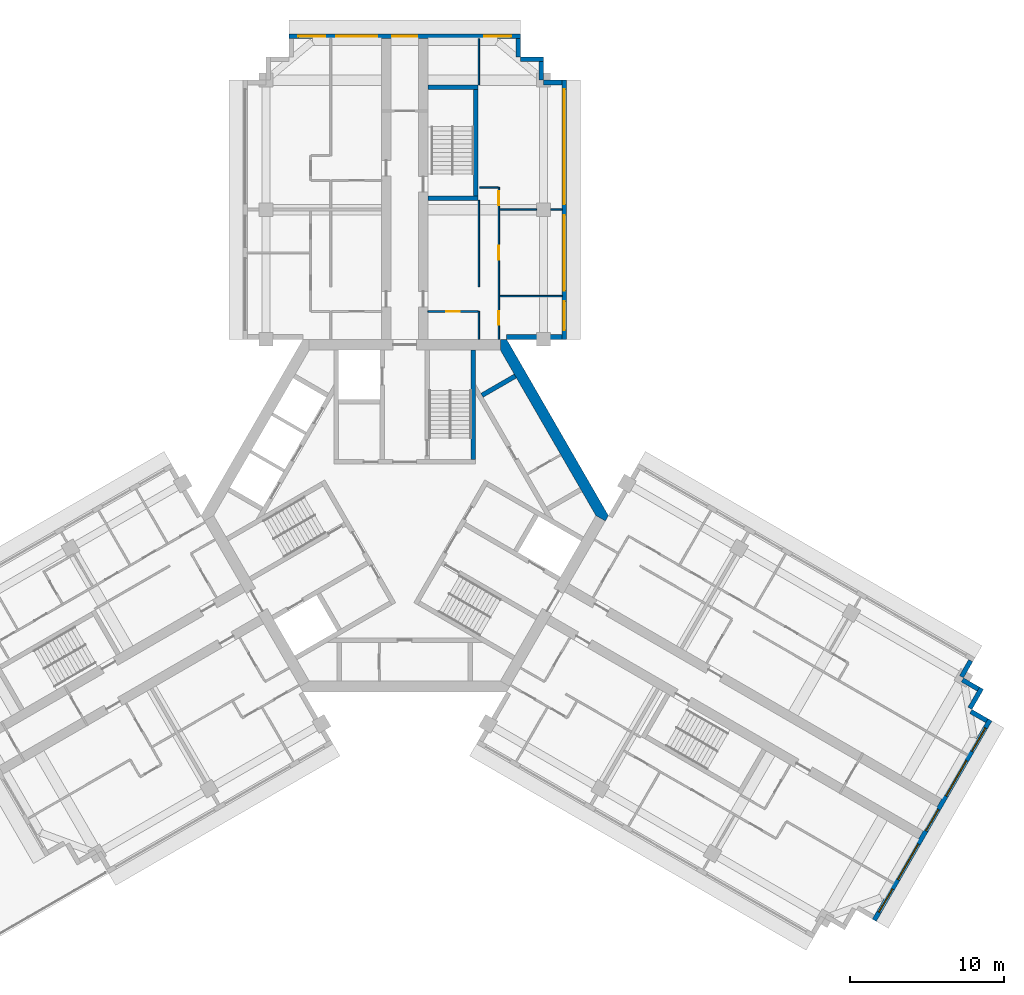
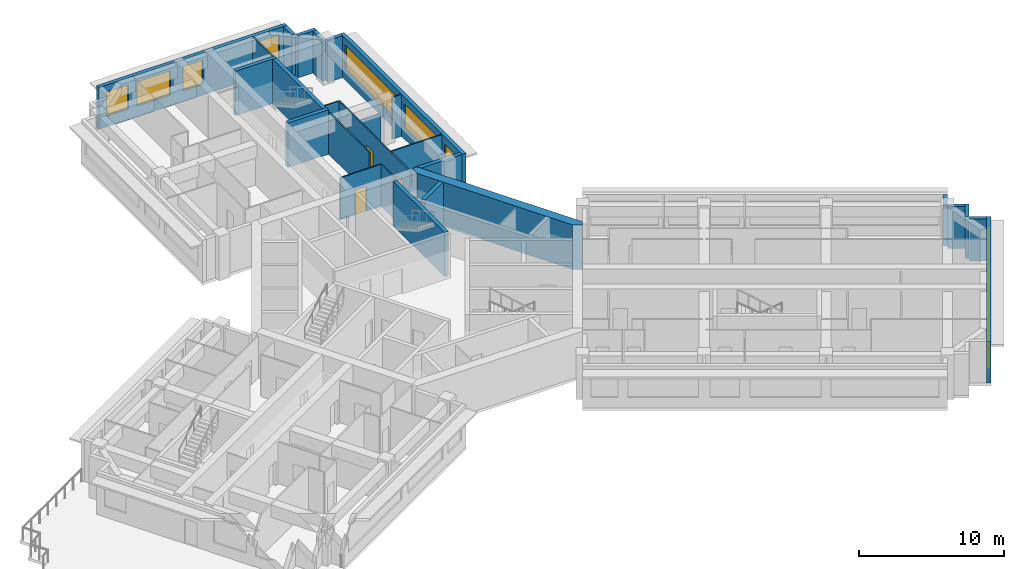
# One storey, part 8 of 11: 27 walls, 12 windows, 4 doors, 16 openings.
"""IFC4 building model written with IfcOpenShell, lengths in metres."""

from ifc_helpers import new_model, si_unit, direction, frame, frame_2d, origin, place, context, subcontext, project, spatial, polyline, rectangle, outline, extrude, material, layer, layer_set, type_object, element, fill, save


model = new_model("IFC4")

# Units and contexts
model_context = context("Model", 3, precision=1e-05, world=origin(), true_north=direction((0.0, 1.0)))
body_context = subcontext(model_context, "Body", "Model", "MODEL_VIEW")
ifc_project = project(units=[si_unit("LENGTHUNIT", "METRE"), si_unit("AREAUNIT", "SQUARE_METRE"), si_unit("VOLUMEUNIT", "CUBIC_METRE"), si_unit("PLANEANGLEUNIT", "RADIAN"), si_unit("MASSUNIT", "GRAM", prefix="KILO")], contexts=[model_context])

# Site, building, storey
site_placement = place(None, origin())
site = spatial("IfcSite", under=ifc_project, at=site_placement, CompositionType="ELEMENT")
building_placement = place(site_placement, origin())
building = spatial("IfcBuilding", under=site, at=building_placement, Name="Impinga Residences", CompositionType="ELEMENT")
storey_placement = place(building_placement, frame((0.0, 0.0, 218.5)))
storey = spatial("IfcBuildingStorey", under=building, at=storey_placement, Name="L54", CompositionType="ELEMENT", Elevation=218.5)

# Walls
ifc_material_1 = material(Name="Terracotta rainscreen on blockwork", Category="masonry")
ifc_layer_1 = layer(ifc_material_1, 0.300048828125)
ifc_layer_set_1 = layer_set([ifc_layer_1], Name="EW1 external wall, terracotta rainscreen on blockwork 300")
wall_type_1 = type_object("IfcWallType", Name="EW1 external wall, terracotta rainscreen on blockwork 300", PredefinedType="SOLIDWALL", material=ifc_layer_set_1)
wall_1_placement = place(storey_placement, frame((36.69384765625, -9.4072265625, 0.0), z_axis=(0.0, 0.0, 1.0), x_axis=(-0.499880961361, -0.866094119867, 0.0)))
element("IfcWall", 1, at=wall_1_placement, inside=storey, type_object=wall_type_1, Name="External wall EW1 L54", PredefinedType="SOLIDWALL", context=body_context, shape_type="SweptSolid", body=[
    extrude(rectangle(XDim=1.199951171875, YDim=0.300048828125, at=frame_2d((0.60009765625, 0.0))), origin(), (0.0, 0.0, 1.0), 3.530029296875),
])
wall_2_placement = place(storey_placement, frame((36.153076171875, -10.654052734375, 0.0), z_axis=(0.0, 0.0, 1.0), x_axis=(0.866059708757, -0.499940577336, 0.0)))
element("IfcWall", 2, at=wall_2_placement, inside=storey, type_object=wall_type_1, Name="External wall EW1 L54", PredefinedType="SOLIDWALL", context=body_context, shape_type="SweptSolid", body=[
    extrude(rectangle(XDim=1.195068359375, YDim=0.300048828125, at=frame_2d((0.59765625, 0.0))), origin(), (0.0, 0.0, 1.0), 3.530029296875),
])
wall_3_placement = place(storey_placement, frame((37.39306640625, -11.196533203125, 0.0), z_axis=(0.0, 0.0, 1.0), x_axis=(-0.499990139034, -0.866031096941, 0.0)))
element("IfcWall", 3, at=wall_3_placement, inside=storey, type_object=wall_type_1, Name="External wall EW1 L54", PredefinedType="SOLIDWALL", context=body_context, shape_type="SweptSolid", body=[
    extrude(rectangle(XDim=1.5, YDim=0.300048828125, at=frame_2d((0.75, 0.0))), origin(), (0.0, 0.0, 1.0), 3.530029296875),
])
wall_4_placement = place(storey_placement, frame((36.7021484375, -12.702880859375, 0.0), z_axis=(0.0, 0.0, 1.0), x_axis=(0.865971243484, -0.500093796661, 0.0)))
element("IfcWall", 4, at=wall_4_placement, inside=storey, type_object=wall_type_1, Name="External wall EW1 L54", PredefinedType="SOLIDWALL", context=body_context, shape_type="SweptSolid", body=[
    extrude(rectangle(XDim=1.195068359375, YDim=0.300048828125, at=frame_2d((0.59765625, 0.0))), origin(), (0.0, 0.0, 1.0), 3.530029296875),
])

# Wall, openings, windows
wall_5_placement = place(storey_placement, frame((37.94189453125, -13.24560546875, 0.0), z_axis=(0.0, 0.0, 1.0), x_axis=(-0.500004234368, -0.866022959057, 0.0)))
wall_5 = element("IfcWall", 5, at=wall_5_placement, inside=storey, type_object=wall_type_1, Name="External wall EW1 L54", PredefinedType="SOLIDWALL", context=body_context, shape_type="SweptSolid", body=[
    extrude(rectangle(XDim=14.999755859375, YDim=0.300048828125, at=frame_2d((7.5, 0.0))), origin(), (0.0, 0.0, 1.0), 3.530029296875),
])
opening_1_placement = place(wall_5_placement, frame((0.60009765625, 0.0, 0.89990234375)))
opening_1 = element("IfcOpeningElement", 6, at=opening_1_placement, cuts=wall_5, Name="Opening W1", PredefinedType="OPENING", context=body_context, shape_type="SweptSolid", body=[
    extrude(rectangle(XDim=1.75, YDim=2.050048828125, at=frame_2d((0.875, 1.02490234375))), frame((0.0, 0.159912109375, 0.0), z_axis=(0.0, -1.0, 0.0), x_axis=(1.0, 0.0, 0.0)), (0.0, 0.0, 1.0), 0.320068359375),
])
opening_2_placement = place(wall_5_placement, frame((3.050048828125, 0.0, 0.89990234375)))
opening_2 = element("IfcOpeningElement", 7, at=opening_2_placement, cuts=wall_5, Name="Opening W18", PredefinedType="OPENING", context=body_context, shape_type="SweptSolid", body=[
    extrude(rectangle(XDim=2.64990234375, YDim=2.050048828125, at=frame_2d((1.324951171875, 1.02490234375))), frame((0.0, 0.159912109375, 0.0), z_axis=(0.0, -1.0, 0.0), x_axis=(1.0, 0.0, 0.0)), (0.0, 0.0, 1.0), 0.320068359375),
])
opening_3_placement = place(wall_5_placement, frame((6.699951171875, 0.0, 0.89990234375)))
opening_3 = element("IfcOpeningElement", 8, at=opening_3_placement, cuts=wall_5, Name="Opening W19", PredefinedType="OPENING", context=body_context, shape_type="SweptSolid", body=[
    extrude(rectangle(XDim=1.60009765625, YDim=2.050048828125, at=frame_2d((0.800048828125, 1.02490234375))), frame((0.0, 0.159912109375, 0.0), z_axis=(0.0, -1.0, 0.0), x_axis=(1.0, 0.0, 0.0)), (0.0, 0.0, 1.0), 0.320068359375),
])
opening_4_placement = place(wall_5_placement, frame((9.300048828125, 0.0, 0.89990234375)))
opening_4 = element("IfcOpeningElement", 9, at=opening_4_placement, cuts=wall_5, Name="Opening W18", PredefinedType="OPENING", context=body_context, shape_type="SweptSolid", body=[
    extrude(rectangle(XDim=2.64990234375, YDim=2.050048828125, at=frame_2d((1.324951171875, 1.02490234375))), frame((0.0, 0.159912109375, 0.0), z_axis=(0.0, -1.0, 0.0), x_axis=(1.0, 0.0, 0.0)), (0.0, 0.0, 1.0), 0.320068359375),
])
opening_5_placement = place(wall_5_placement, frame((12.64990234375, 0.0, 0.89990234375)))
opening_5 = element("IfcOpeningElement", 10, at=opening_5_placement, cuts=wall_5, Name="Opening W1", PredefinedType="OPENING", context=body_context, shape_type="SweptSolid", body=[
    extrude(rectangle(XDim=1.75, YDim=2.050048828125, at=frame_2d((0.875, 1.02490234375))), frame((0.0, 0.159912109375, 0.0), z_axis=(0.0, -1.0, 0.0), x_axis=(1.0, 0.0, 0.0)), (0.0, 0.0, 1.0), 0.320068359375),
])
ifc_material_2 = material(Name="Aluminium window, clear double glazing", Category="aluminium")
window_type_1 = type_object("IfcWindowType", Name="W1 ribbon window 1750x2050", PartitioningType="SINGLE_PANEL", PredefinedType="WINDOW", material=ifc_material_2)
window_1_placement = place(opening_1_placement, origin())
window_1 = element("IfcWindow", 11, at=window_1_placement, inside=storey, type_object=window_type_1, Name="Window L54", OverallHeight=2.050048828125, OverallWidth=1.75, PartitioningType="SINGLE_PANEL", PredefinedType="WINDOW", context=body_context, shape_type="SweptSolid", body=[
    extrude(rectangle(XDim=1.75, YDim=2.050048828125, at=frame_2d((0.875, 1.02490234375))), frame((0.0, 0.030029296875, 0.0), z_axis=(0.0, -1.0, 0.0), x_axis=(1.0, 0.0, 0.0)), (0.0, 0.0, 1.0), 0.06005859375),
])
fill(opening_1, window_1)
window_2_placement = place(opening_5_placement, origin())
window_2 = element("IfcWindow", 12, at=window_2_placement, inside=storey, type_object=window_type_1, Name="Window L54", OverallHeight=2.050048828125, OverallWidth=1.75, PartitioningType="SINGLE_PANEL", PredefinedType="WINDOW", context=body_context, shape_type="SweptSolid", body=[
    extrude(rectangle(XDim=1.75, YDim=2.050048828125, at=frame_2d((0.875, 1.02490234375))), frame((0.0, 0.030029296875, 0.0), z_axis=(0.0, -1.0, 0.0), x_axis=(1.0, 0.0, 0.0)), (0.0, 0.0, 1.0), 0.06005859375),
])
fill(opening_5, window_2)
window_type_2 = type_object("IfcWindowType", Name="W18 ribbon window 2650x2050", PartitioningType="SINGLE_PANEL", PredefinedType="WINDOW", material=ifc_material_2)
window_3_placement = place(opening_2_placement, origin())
window_3 = element("IfcWindow", 13, at=window_3_placement, inside=storey, type_object=window_type_2, Name="Window L54", OverallHeight=2.050048828125, OverallWidth=2.64990234375, PartitioningType="SINGLE_PANEL", PredefinedType="WINDOW", context=body_context, shape_type="SweptSolid", body=[
    extrude(rectangle(XDim=2.64990234375, YDim=2.050048828125, at=frame_2d((1.324951171875, 1.02490234375))), frame((0.0, 0.030029296875, 0.0), z_axis=(0.0, -1.0, 0.0), x_axis=(1.0, 0.0, 0.0)), (0.0, 0.0, 1.0), 0.06005859375),
])
fill(opening_2, window_3)
window_4_placement = place(opening_4_placement, origin())
window_4 = element("IfcWindow", 14, at=window_4_placement, inside=storey, type_object=window_type_2, Name="Window L54", OverallHeight=2.050048828125, OverallWidth=2.64990234375, PartitioningType="SINGLE_PANEL", PredefinedType="WINDOW", context=body_context, shape_type="SweptSolid", body=[
    extrude(rectangle(XDim=2.64990234375, YDim=2.050048828125, at=frame_2d((1.324951171875, 1.02490234375))), frame((0.0, 0.030029296875, 0.0), z_axis=(0.0, -1.0, 0.0), x_axis=(1.0, 0.0, 0.0)), (0.0, 0.0, 1.0), 0.06005859375),
])
fill(opening_4, window_4)
window_type_3 = type_object("IfcWindowType", Name="W19 ribbon window 1600x2050", PartitioningType="SINGLE_PANEL", PredefinedType="WINDOW", material=ifc_material_2)
window_5_placement = place(opening_3_placement, origin())
window_5 = element("IfcWindow", 15, at=window_5_placement, inside=storey, type_object=window_type_3, Name="Window L54", OverallHeight=2.050048828125, OverallWidth=1.60009765625, PartitioningType="SINGLE_PANEL", PredefinedType="WINDOW", context=body_context, shape_type="SweptSolid", body=[
    extrude(rectangle(XDim=1.60009765625, YDim=2.050048828125, at=frame_2d((0.800048828125, 1.02490234375))), frame((0.0, 0.030029296875, 0.0), z_axis=(0.0, -1.0, 0.0), x_axis=(1.0, 0.0, 0.0)), (0.0, 0.0, 1.0), 0.06005859375),
])
fill(opening_3, window_5)

wall_6_placement = place(storey_placement, frame((-7.5, 31.08154296875, 0.0), z_axis=(0.0, 0.0, 1.0), x_axis=(1.0, 0.0, 0.0)))
wall_6 = element("IfcWall", 16, at=wall_6_placement, inside=storey, type_object=wall_type_1, Name="External wall EW1 L54", PredefinedType="SOLIDWALL", context=body_context, shape_type="SweptSolid", body=[
    extrude(rectangle(XDim=15.0, YDim=0.300048828125, at=frame_2d((7.5, 0.0))), origin(), (0.0, 0.0, 1.0), 3.530029296875),
])
opening_6_placement = place(wall_6_placement, frame((0.60009765625, 0.0, 0.89990234375)))
opening_6 = element("IfcOpeningElement", 17, at=opening_6_placement, cuts=wall_6, Name="Opening W1", PredefinedType="OPENING", context=body_context, shape_type="SweptSolid", body=[
    extrude(rectangle(XDim=1.75, YDim=2.050048828125, at=frame_2d((0.875, 1.02490234375))), frame((0.0, 0.159912109375, 0.0), z_axis=(0.0, -1.0, 0.0), x_axis=(1.0, 0.0, 0.0)), (0.0, 0.0, 1.0), 0.320068359375),
])
opening_7_placement = place(wall_6_placement, frame((3.050048828125, 0.0, 0.89990234375)))
opening_7 = element("IfcOpeningElement", 18, at=opening_7_placement, cuts=wall_6, Name="Opening W18", PredefinedType="OPENING", context=body_context, shape_type="SweptSolid", body=[
    extrude(rectangle(XDim=2.64990234375, YDim=2.050048828125, at=frame_2d((1.324951171875, 1.02490234375))), frame((0.0, 0.159912109375, 0.0), z_axis=(0.0, -1.0, 0.0), x_axis=(1.0, 0.0, 0.0)), (0.0, 0.0, 1.0), 0.320068359375),
])
opening_8_placement = place(wall_6_placement, frame((6.699951171875, 0.0, 0.89990234375)))
opening_8 = element("IfcOpeningElement", 19, at=opening_8_placement, cuts=wall_6, Name="Opening W19", PredefinedType="OPENING", context=body_context, shape_type="SweptSolid", body=[
    extrude(rectangle(XDim=1.60009765625, YDim=2.050048828125, at=frame_2d((0.800048828125, 1.02490234375))), frame((0.0, 0.159912109375, 0.0), z_axis=(0.0, -1.0, 0.0), x_axis=(1.0, 0.0, 0.0)), (0.0, 0.0, 1.0), 0.320068359375),
])
opening_9_placement = place(wall_6_placement, frame((12.64990234375, 0.0, 0.89990234375)))
opening_9 = element("IfcOpeningElement", 20, at=opening_9_placement, cuts=wall_6, Name="Opening W1", PredefinedType="OPENING", context=body_context, shape_type="SweptSolid", body=[
    extrude(rectangle(XDim=1.75, YDim=2.050048828125, at=frame_2d((0.875, 1.02490234375))), frame((0.0, 0.159912109375, 0.0), z_axis=(0.0, -1.0, 0.0), x_axis=(1.0, 0.0, 0.0)), (0.0, 0.0, 1.0), 0.320068359375),
])
window_6_placement = place(opening_6_placement, origin())
window_6 = element("IfcWindow", 21, at=window_6_placement, inside=storey, type_object=window_type_1, Name="Window L54", OverallHeight=2.050048828125, OverallWidth=1.75, PartitioningType="SINGLE_PANEL", PredefinedType="WINDOW", context=body_context, shape_type="SweptSolid", body=[
    extrude(rectangle(XDim=1.75, YDim=2.050048828125, at=frame_2d((0.875, 1.02490234375))), frame((0.0, 0.030029296875, 0.0), z_axis=(0.0, -1.0, 0.0), x_axis=(1.0, 0.0, 0.0)), (0.0, 0.0, 1.0), 0.06005859375),
])
fill(opening_6, window_6)
window_7_placement = place(opening_9_placement, origin())
window_7 = element("IfcWindow", 22, at=window_7_placement, inside=storey, type_object=window_type_1, Name="Window L54", OverallHeight=2.050048828125, OverallWidth=1.75, PartitioningType="SINGLE_PANEL", PredefinedType="WINDOW", context=body_context, shape_type="SweptSolid", body=[
    extrude(rectangle(XDim=1.75, YDim=2.050048828125, at=frame_2d((0.875, 1.02490234375))), frame((0.0, 0.030029296875, 0.0), z_axis=(0.0, -1.0, 0.0), x_axis=(1.0, 0.0, 0.0)), (0.0, 0.0, 1.0), 0.06005859375),
])
fill(opening_9, window_7)
window_8_placement = place(opening_7_placement, origin())
window_8 = element("IfcWindow", 23, at=window_8_placement, inside=storey, type_object=window_type_2, Name="Window L54", OverallHeight=2.050048828125, OverallWidth=2.64990234375, PartitioningType="SINGLE_PANEL", PredefinedType="WINDOW", context=body_context, shape_type="SweptSolid", body=[
    extrude(rectangle(XDim=2.64990234375, YDim=2.050048828125, at=frame_2d((1.324951171875, 1.02490234375))), frame((0.0, 0.030029296875, 0.0), z_axis=(0.0, -1.0, 0.0), x_axis=(1.0, 0.0, 0.0)), (0.0, 0.0, 1.0), 0.06005859375),
])
fill(opening_7, window_8)
window_9_placement = place(opening_8_placement, origin())
window_9 = element("IfcWindow", 24, at=window_9_placement, inside=storey, type_object=window_type_3, Name="Window L54", OverallHeight=2.050048828125, OverallWidth=1.60009765625, PartitioningType="SINGLE_PANEL", PredefinedType="WINDOW", context=body_context, shape_type="SweptSolid", body=[
    extrude(rectangle(XDim=1.60009765625, YDim=2.050048828125, at=frame_2d((0.800048828125, 1.02490234375))), frame((0.0, 0.030029296875, 0.0), z_axis=(0.0, -1.0, 0.0), x_axis=(1.0, 0.0, 0.0)), (0.0, 0.0, 1.0), 0.06005859375),
])
fill(opening_8, window_9)

# Walls
wall_7_placement = place(storey_placement, frame((7.35009765625, 30.931640625, 0.0), z_axis=(0.0, 0.0, 1.0), x_axis=(0.0, -1.0, 0.0)))
element("IfcWall", 25, at=wall_7_placement, inside=storey, type_object=wall_type_1, Name="External wall EW1 L54", PredefinedType="SOLIDWALL", context=body_context, shape_type="SweptSolid", body=[
    extrude(rectangle(XDim=1.195068359375, YDim=0.300048828125, at=frame_2d((0.59765625, 0.0))), origin(), (0.0, 0.0, 1.0), 3.530029296875),
])
wall_8_placement = place(storey_placement, frame((7.5, 29.58154296875, 0.0), z_axis=(0.0, 0.0, 1.0), x_axis=(1.0, 0.0, 0.0)))
element("IfcWall", 26, at=wall_8_placement, inside=storey, type_object=wall_type_1, Name="External wall EW1 L54", PredefinedType="SOLIDWALL", context=body_context, shape_type="SweptSolid", body=[
    extrude(rectangle(XDim=1.5, YDim=0.300048828125, at=frame_2d((0.75, 0.0))), origin(), (0.0, 0.0, 1.0), 3.530029296875),
])
wall_9_placement = place(storey_placement, frame((8.85009765625, 29.431640625, 0.0), z_axis=(0.0, 0.0, 1.0), x_axis=(0.0, -1.0, 0.0)))
element("IfcWall", 27, at=wall_9_placement, inside=storey, type_object=wall_type_1, Name="External wall EW1 L54", PredefinedType="SOLIDWALL", context=body_context, shape_type="SweptSolid", body=[
    extrude(rectangle(XDim=1.2001953125, YDim=0.300048828125, at=frame_2d((0.60009765625, 0.0))), origin(), (0.0, 0.0, 1.0), 3.530029296875),
])
wall_10_placement = place(storey_placement, frame((9.0048828125, 28.08154296875, 0.0), z_axis=(0.0, 0.0, 1.0), x_axis=(1.0, 0.0, 0.0)))
element("IfcWall", 28, at=wall_10_placement, inside=storey, type_object=wall_type_1, Name="External wall EW1 L54", PredefinedType="SOLIDWALL", context=body_context, shape_type="SweptSolid", body=[
    extrude(rectangle(XDim=1.195068359375, YDim=0.300048828125, at=frame_2d((0.59765625, 0.0))), origin(), (0.0, 0.0, 1.0), 3.530029296875),
])

# Wall, openings, windows
wall_11_placement = place(storey_placement, frame((10.35009765625, 28.2314453125, 0.0), z_axis=(0.0, 0.0, 1.0), x_axis=(0.0, -1.0, 0.0)))
wall_11 = element("IfcWall", 29, at=wall_11_placement, inside=storey, type_object=wall_type_1, Name="External wall EW1 L54", PredefinedType="SOLIDWALL", context=body_context, shape_type="SweptSolid", body=[
    extrude(rectangle(XDim=16.7998046875, YDim=0.300048828125, at=frame_2d((8.39990234375, 0.0))), origin(), (0.0, 0.0, 1.0), 3.530029296875),
])
opening_10_placement = place(wall_11_placement, frame((0.60009765625, 0.0, 0.89990234375)))
opening_10 = element("IfcOpeningElement", 30, at=opening_10_placement, cuts=wall_11, Name="Opening W7", PredefinedType="OPENING", context=body_context, shape_type="SweptSolid", body=[
    extrude(rectangle(XDim=7.449951171875, YDim=2.050048828125, at=frame_2d((3.72509765625, 1.02490234375))), frame((0.0, 0.159912109375, 0.0), z_axis=(0.0, -1.0, 0.0), x_axis=(1.0, 0.0, 0.0)), (0.0, 0.0, 1.0), 0.320068359375),
])
opening_11_placement = place(wall_11_placement, frame((8.75, 0.0, 0.89990234375)))
opening_11 = element("IfcOpeningElement", 31, at=opening_11_placement, cuts=wall_11, Name="Opening W16", PredefinedType="OPENING", context=body_context, shape_type="SweptSolid", body=[
    extrude(rectangle(XDim=4.89990234375, YDim=2.050048828125, at=frame_2d((2.449951171875, 1.02490234375))), frame((0.0, 0.159912109375, 0.0), z_axis=(0.0, -1.0, 0.0), x_axis=(1.0, 0.0, 0.0)), (0.0, 0.0, 1.0), 0.320068359375),
])
opening_12_placement = place(wall_11_placement, frame((14.35009765625, 0.0, 0.89990234375)))
opening_12 = element("IfcOpeningElement", 32, at=opening_12_placement, cuts=wall_11, Name="Opening W15", PredefinedType="OPENING", context=body_context, shape_type="SweptSolid", body=[
    extrude(rectangle(XDim=1.85009765625, YDim=2.050048828125, at=frame_2d((0.925048828125, 1.02490234375))), frame((0.0, 0.159912109375, 0.0), z_axis=(0.0, -1.0, 0.0), x_axis=(1.0, 0.0, 0.0)), (0.0, 0.0, 1.0), 0.320068359375),
])
window_type_4 = type_object("IfcWindowType", Name="W15 ribbon window 1850x2050", PartitioningType="SINGLE_PANEL", PredefinedType="WINDOW", material=ifc_material_2)
window_10_placement = place(opening_12_placement, origin())
window_10 = element("IfcWindow", 33, at=window_10_placement, inside=storey, type_object=window_type_4, Name="Window L54", OverallHeight=2.050048828125, OverallWidth=1.85009765625, PartitioningType="SINGLE_PANEL", PredefinedType="WINDOW", context=body_context, shape_type="SweptSolid", body=[
    extrude(rectangle(XDim=1.85009765625, YDim=2.050048828125, at=frame_2d((0.925048828125, 1.02490234375))), frame((0.0, 0.030029296875, 0.0), z_axis=(0.0, -1.0, 0.0), x_axis=(1.0, 0.0, 0.0)), (0.0, 0.0, 1.0), 0.06005859375),
])
fill(opening_12, window_10)
window_type_5 = type_object("IfcWindowType", Name="W16 ribbon window 4900x2050", PartitioningType="SINGLE_PANEL", PredefinedType="WINDOW", material=ifc_material_2)
window_11_placement = place(opening_11_placement, origin())
window_11 = element("IfcWindow", 34, at=window_11_placement, inside=storey, type_object=window_type_5, Name="Window L54", OverallHeight=2.050048828125, OverallWidth=4.89990234375, PartitioningType="SINGLE_PANEL", PredefinedType="WINDOW", context=body_context, shape_type="SweptSolid", body=[
    extrude(rectangle(XDim=4.89990234375, YDim=2.050048828125, at=frame_2d((2.449951171875, 1.02490234375))), frame((0.0, 0.030029296875, 0.0), z_axis=(0.0, -1.0, 0.0), x_axis=(1.0, 0.0, 0.0)), (0.0, 0.0, 1.0), 0.06005859375),
])
fill(opening_11, window_11)
window_type_6 = type_object("IfcWindowType", Name="W7 ribbon window 7450x2050", PartitioningType="SINGLE_PANEL", PredefinedType="WINDOW", material=ifc_material_2)
window_12_placement = place(opening_10_placement, origin())
window_12 = element("IfcWindow", 35, at=window_12_placement, inside=storey, type_object=window_type_6, Name="Window L54", OverallHeight=2.050048828125, OverallWidth=7.449951171875, PartitioningType="SINGLE_PANEL", PredefinedType="WINDOW", context=body_context, shape_type="SweptSolid", body=[
    extrude(rectangle(XDim=7.449951171875, YDim=2.050048828125, at=frame_2d((3.72509765625, 1.02490234375))), frame((0.0, 0.030029296875, 0.0), z_axis=(0.0, -1.0, 0.0), x_axis=(1.0, 0.0, 0.0)), (0.0, 0.0, 1.0), 0.06005859375),
])
fill(opening_10, window_12)

# Walls
wall_12_placement = place(storey_placement, frame((10.199951171875, 11.58154296875, 0.0), z_axis=(0.0, 0.0, 1.0), x_axis=(-1.0, 0.0, 0.0)))
element("IfcWall", 36, at=wall_12_placement, inside=storey, type_object=wall_type_1, Name="External wall EW1 L54", PredefinedType="SOLIDWALL", context=body_context, shape_type="SweptSolid", body=[
    extrude(rectangle(XDim=3.599853515625, YDim=0.300048828125, at=frame_2d((1.7998046875, 0.0))), origin(), (0.0, 0.0, 1.0), 3.530029296875),
])
ifc_material_3 = material(Name="Gypsum board on steel studs", Category="steel")
ifc_layer_2 = layer(ifc_material_3, 0.10009765625)
ifc_layer_set_2 = layer_set([ifc_layer_2], Name="Gypsum board on steel studs")
wall_type_2 = type_object("IfcWallType", Name="IP1 partition 100", PredefinedType="PARTITIONING", material=ifc_layer_set_2)
wall_13_placement = place(storey_placement, frame((4.800048828125, 11.431640625, 0.0), z_axis=(0.0, 0.0, 1.0), x_axis=(0.0, 1.0, 0.0)))
element("IfcWall", 37, at=wall_13_placement, inside=storey, type_object=wall_type_2, Name="Partition L54-NF1:DIV0", PredefinedType="PARTITIONING", context=body_context, shape_type="SweptSolid", body=[
    extrude(rectangle(XDim=1.7998046875, YDim=0.10009765625, at=frame_2d((0.89990234375, 0.0))), origin(), (0.0, 0.0, 1.0), 3.530029296875),
])
wall_14_placement = place(storey_placement, frame((4.800048828125, 14.83154296875, 0.0), z_axis=(0.0, 0.0, 1.0), x_axis=(0.0, 1.0, 0.0)))
element("IfcWall", 38, at=wall_14_placement, inside=storey, type_object=wall_type_2, Name="Partition L54-NF1:DIV1", PredefinedType="PARTITIONING", context=body_context, shape_type="SweptSolid", body=[
    extrude(rectangle(XDim=5.60009765625, YDim=0.10009765625, at=frame_2d((2.800048828125, 0.0))), origin(), (0.0, 0.0, 1.0), 3.530029296875),
])
wall_15_placement = place(storey_placement, frame((4.800048828125, 27.931640625, 0.0), z_axis=(0.0, 0.0, 1.0), x_axis=(0.0, 1.0, 0.0)))
element("IfcWall", 39, at=wall_15_placement, inside=storey, type_object=wall_type_2, Name="Partition L54-NF1:DIV2", PredefinedType="PARTITIONING", context=body_context, shape_type="SweptSolid", body=[
    extrude(rectangle(XDim=3.0, YDim=0.10009765625, at=frame_2d((1.5, 0.0))), origin(), (0.0, 0.0, 1.0), 3.530029296875),
])

# Wall, openings, doors
wall_16_placement = place(storey_placement, frame((6.10009765625, 11.431640625, 0.0), z_axis=(0.0, 0.0, 1.0), x_axis=(0.0, 1.0, 0.0)))
wall_16 = element("IfcWall", 40, at=wall_16_placement, inside=storey, type_object=wall_type_2, Name="Partition L54-NF1:STRIP", PredefinedType="PARTITIONING", context=body_context, shape_type="SweptSolid", body=[
    extrude(rectangle(XDim=9.849853515625, YDim=0.10009765625, at=frame_2d((4.9248046875, 0.0))), origin(), (0.0, 0.0, 1.0), 3.530029296875),
])
opening_13_placement = place(wall_16_placement, frame((0.925048828125, 0.0, 0.0)))
opening_13 = element("IfcOpeningElement", 41, at=opening_13_placement, cuts=wall_16, Name="Opening D2", PredefinedType="OPENING", context=body_context, shape_type="SweptSolid", body=[
    extrude(rectangle(XDim=0.89990234375, YDim=2.10009765625, at=frame_2d((0.449951171875, 1.050048828125))), frame((0.0, 0.06005859375, 0.0), z_axis=(0.0, -1.0, 0.0), x_axis=(1.0, 0.0, 0.0)), (0.0, 0.0, 1.0), 0.1201171875),
])
opening_14_placement = place(wall_16_placement, frame((5.14990234375, 0.0, 0.0)))
opening_14 = element("IfcOpeningElement", 42, at=opening_14_placement, cuts=wall_16, Name="Opening D2", PredefinedType="OPENING", context=body_context, shape_type="SweptSolid", body=[
    extrude(rectangle(XDim=0.89990234375, YDim=2.10009765625, at=frame_2d((0.449951171875, 1.050048828125))), frame((0.0, 0.06005859375, 0.0), z_axis=(0.0, -1.0, 0.0), x_axis=(1.0, 0.0, 0.0)), (0.0, 0.0, 1.0), 0.1201171875),
])
opening_15_placement = place(wall_16_placement, frame((8.699951171875, 0.0, 0.0)))
opening_15 = element("IfcOpeningElement", 43, at=opening_15_placement, cuts=wall_16, Name="Opening D2", PredefinedType="OPENING", context=body_context, shape_type="SweptSolid", body=[
    extrude(rectangle(XDim=0.89990234375, YDim=2.10009765625, at=frame_2d((0.449951171875, 1.050048828125))), frame((0.0, 0.06005859375, 0.0), z_axis=(0.0, -1.0, 0.0), x_axis=(1.0, 0.0, 0.0)), (0.0, 0.0, 1.0), 0.1201171875),
])
ifc_material_4 = material(Name="Timber door set", Category="wood")
door_type = type_object("IfcDoorType", Name="D2 internal door 900x2100", OperationType="SINGLE_SWING_LEFT", PredefinedType="DOOR", material=ifc_material_4)
door_1_placement = place(opening_13_placement, origin())
door_1 = element("IfcDoor", 44, at=door_1_placement, inside=storey, type_object=door_type, Name="Apartment L54-NF1 room door", OperationType="SINGLE_SWING_LEFT", OverallHeight=2.10009765625, OverallWidth=0.89990234375, PredefinedType="DOOR", context=body_context, shape_type="SweptSolid", body=[
    extrude(rectangle(XDim=0.89990234375, YDim=2.10009765625, at=frame_2d((0.449951171875, 1.050048828125))), frame((0.0, 0.02490234375, 0.0), z_axis=(0.0, -1.0, 0.0), x_axis=(1.0, 0.0, 0.0)), (0.0, 0.0, 1.0), 0.050048828125),
])
fill(opening_13, door_1)
door_2_placement = place(opening_14_placement, origin())
door_2 = element("IfcDoor", 45, at=door_2_placement, inside=storey, type_object=door_type, Name="Apartment L54-NF1 room door", OperationType="SINGLE_SWING_RIGHT", OverallHeight=2.10009765625, OverallWidth=0.89990234375, PredefinedType="DOOR", context=body_context, shape_type="SweptSolid", body=[
    extrude(rectangle(XDim=0.89990234375, YDim=2.10009765625, at=frame_2d((0.449951171875, 1.050048828125))), frame((0.0, 0.02490234375, 0.0), z_axis=(0.0, -1.0, 0.0), x_axis=(1.0, 0.0, 0.0)), (0.0, 0.0, 1.0), 0.050048828125),
])
fill(opening_14, door_2)
door_3_placement = place(opening_15_placement, origin())
door_3 = element("IfcDoor", 46, at=door_3_placement, inside=storey, type_object=door_type, Name="Apartment L54-NF1 room door", OperationType="SINGLE_SWING_RIGHT", OverallHeight=2.10009765625, OverallWidth=0.89990234375, PredefinedType="DOOR", context=body_context, shape_type="SweptSolid", body=[
    extrude(rectangle(XDim=0.89990234375, YDim=2.10009765625, at=frame_2d((0.449951171875, 1.050048828125))), frame((0.0, 0.02490234375, 0.0), z_axis=(0.0, -1.0, 0.0), x_axis=(1.0, 0.0, 0.0)), (0.0, 0.0, 1.0), 0.050048828125),
])
fill(opening_15, door_3)

# Wall
wall_17_placement = place(storey_placement, frame((4.85009765625, 21.281494140625, 0.0), z_axis=(0.0, 0.0, 1.0), x_axis=(1.0, 0.0, 0.0)))
element("IfcWall", 47, at=wall_17_placement, inside=storey, type_object=wall_type_2, Name="Partition L54-NF1:SE1", PredefinedType="PARTITIONING", context=body_context, shape_type="SweptSolid", body=[
    extrude(rectangle(XDim=1.199951171875, YDim=0.10009765625, at=frame_2d((0.60009765625, 0.0))), origin(), (0.0, 0.0, 1.0), 3.530029296875),
])

# Wall, opening, door
wall_18_placement = place(storey_placement, frame((1.5, 13.2314453125, 0.0), z_axis=(0.0, 0.0, 1.0), x_axis=(1.0, 0.0, 0.0)))
wall_18 = element("IfcWall", 48, at=wall_18_placement, inside=storey, type_object=wall_type_2, Name="Partition L54-NF1:IB1", PredefinedType="PARTITIONING", context=body_context, shape_type="SweptSolid", body=[
    extrude(rectangle(XDim=3.25, YDim=0.10009765625, at=frame_2d((1.625, 0.0))), origin(), (0.0, 0.0, 1.0), 3.530029296875),
])
opening_16_placement = place(wall_18_placement, frame((1.175048828125, 0.0, 0.0)))
opening_16 = element("IfcOpeningElement", 49, at=opening_16_placement, cuts=wall_18, Name="Opening D2", PredefinedType="OPENING", context=body_context, shape_type="SweptSolid", body=[
    extrude(rectangle(XDim=0.89990234375, YDim=2.10009765625, at=frame_2d((0.449951171875, 1.050048828125))), frame((0.0, 0.06005859375, 0.0), z_axis=(0.0, -1.0, 0.0), x_axis=(1.0, 0.0, 0.0)), (0.0, 0.0, 1.0), 0.1201171875),
])
door_4_placement = place(opening_16_placement, origin())
door_4 = element("IfcDoor", 50, at=door_4_placement, inside=storey, type_object=door_type, Name="Apartment L54-NF1 bathroom door", OperationType="SINGLE_SWING_LEFT", OverallHeight=2.10009765625, OverallWidth=0.89990234375, PredefinedType="DOOR", context=body_context, shape_type="SweptSolid", body=[
    extrude(rectangle(XDim=0.89990234375, YDim=2.10009765625, at=frame_2d((0.449951171875, 1.050048828125))), frame((0.0, 0.02490234375, 0.0), z_axis=(0.0, -1.0, 0.0), x_axis=(1.0, 0.0, 0.0)), (0.0, 0.0, 1.0), 0.050048828125),
])
fill(opening_16, door_4)

# Walls
wall_19_placement = place(storey_placement, frame((6.14990234375, 14.2314453125, 0.0), z_axis=(0.0, 0.0, 1.0), x_axis=(1.0, 0.0, 0.0)))
element("IfcWall", 51, at=wall_19_placement, inside=storey, type_object=wall_type_2, Name="Partition L54-NF1:OB1", PredefinedType="PARTITIONING", context=body_context, shape_type="SweptSolid", body=[
    extrude(rectangle(XDim=4.050048828125, YDim=0.10009765625, at=frame_2d((2.02490234375, 0.0))), origin(), (0.0, 0.0, 1.0), 3.530029296875),
])
wall_20_placement = place(storey_placement, frame((6.14990234375, 19.83154296875, 0.0), z_axis=(0.0, 0.0, 1.0), x_axis=(1.0, 0.0, 0.0)))
element("IfcWall", 52, at=wall_20_placement, inside=storey, type_object=wall_type_2, Name="Partition L54-NF1:OB2", PredefinedType="PARTITIONING", context=body_context, shape_type="SweptSolid", body=[
    extrude(rectangle(XDim=2.400146484375, YDim=0.10009765625, at=frame_2d((1.2001953125, 0.0))), origin(), (0.0, 0.0, 1.0), 2.47998046875),
])
wall_21_placement = place(storey_placement, frame((9.449951171875, 19.83154296875, 0.0), z_axis=(0.0, 0.0, 1.0), x_axis=(1.0, 0.0, 0.0)))
element("IfcWall", 53, at=wall_21_placement, inside=storey, type_object=wall_type_2, Name="Partition L54-NF1:OB2b", PredefinedType="PARTITIONING", context=body_context, shape_type="SweptSolid", body=[
    extrude(rectangle(XDim=0.75, YDim=0.10009765625, at=frame_2d((0.375, 0.0))), origin(), (0.0, 0.0, 1.0), 3.530029296875),
])
ifc_material_5 = material(Name="Concrete C60/75", Category="concrete")
ifc_layer_3 = layer(ifc_material_5, 0.300048828125)
ifc_layer_set_3 = layer_set([ifc_layer_3], Name="Concrete C60/75")
wall_type_3 = type_object("IfcWallType", Name="SE1 wing stair enclosure wall 300", PredefinedType="SOLIDWALL", material=ifc_layer_set_3)
for number, where, z_axis, x_axis, name in (
    (54, (1.5, 20.58154296875, 0.0), (0.0, 0.0, 1.0), (1.0, 0.0, 0.0), "Stair enclosure wall SE1 N END0 L54"),
    (55, (1.5, 27.781494140625, 0.0), (0.0, 0.0, 1.0), (1.0, 0.0, 0.0), "Stair enclosure wall SE1 N END1 L54"),
):
    element("IfcWall", number, at=place(storey_placement, frame(where, z_axis=z_axis, x_axis=x_axis)), inside=storey, type_object=wall_type_3, Name=name, PredefinedType="SOLIDWALL", context=body_context, shape_type="SweptSolid", body=[
        extrude(rectangle(XDim=3.25, YDim=0.300048828125, at=frame_2d((1.625, 0.0))), origin(), (0.0, 0.0, 1.0), 3.75),
    ])
wall_22_placement = place(storey_placement, frame((4.60009765625, 20.7314453125, 0.0), z_axis=(0.0, 0.0, 1.0), x_axis=(0.0, 1.0, 0.0)))
element("IfcWall", 56, at=wall_22_placement, inside=storey, type_object=wall_type_3, Name="Stair enclosure wall SE1 N OUT L54", PredefinedType="SOLIDWALL", context=body_context, shape_type="SweptSolid", body=[
    extrude(rectangle(XDim=6.900146484375, YDim=0.300048828125, at=frame_2d((3.4501953125, 0.0))), origin(), (0.0, 0.0, 1.0), 3.75),
])
ifc_layer_4 = layer(ifc_material_5, 0.699951171875)
ifc_layer_set_4 = layer_set([ifc_layer_4], Name="Concrete C60/75")
wall_type_4 = type_object("IfcWallType", Name="SW3 core wall 700", PredefinedType="SHEAR", material=ifc_layer_set_4)
wall_23_placement = place(storey_placement, origin())
element("IfcWall", 57, at=wall_23_placement, inside=storey, type_object=wall_type_4, Name="Core wall SW3 W:EXPOSED L54", PredefinedType="SHEAR", context=body_context, shape_type="SweptSolid", body=[
    extrude(outline(polyline([(13.199951171875, 0.0), (6.60009765625, 11.431640625), (6.19580078125, 11.431640625), (6.19580078125, 10.7314453125), (12.3916015625, 0.0), (12.998046875, -0.35009765625), (13.199951171875, 0.0)])), origin(), (0.0, 0.0, 1.0), 3.75),
])
ifc_material_6 = material(Name="Concrete C70/85", Category="concrete")
ifc_layer_5 = layer(ifc_material_6, 0.300048828125)
ifc_layer_set_5 = layer_set([ifc_layer_5], Name="Concrete C70/85")
wall_type_5 = type_object("IfcWallType", Name="SW5 core inner wall, stairs, shafts and lobbies 300", PredefinedType="SHEAR", material=ifc_layer_set_5)
wall_24_placement = place(storey_placement, frame((4.449951171875, 3.6298828125, 0.0), z_axis=(0.0, 0.0, 1.0), x_axis=(0.0, 1.0, 0.0)))
element("IfcWall", 58, at=wall_24_placement, inside=storey, type_object=wall_type_5, Name="Core wall SW5 N:ST-OUT L54", PredefinedType="SHEAR", context=body_context, shape_type="SweptSolid", body=[
    extrude(rectangle(XDim=7.1015625, YDim=0.300048828125, at=frame_2d((3.55078125, 0.0))), origin(), (0.0, 0.0, 1.0), 3.75),
])
wall_25_placement = place(storey_placement, frame((5.003662109375, 7.79638671875, 0.0), z_axis=(0.0, 0.0, 1.0), x_axis=(0.866022959057, 0.500004234368, 0.0)))
element("IfcWall", 59, at=wall_25_placement, inside=storey, type_object=wall_type_5, Name="Core wall SW5 W:BANK-L L54", PredefinedType="SHEAR", context=body_context, shape_type="SweptSolid", body=[
    extrude(rectangle(XDim=2.5, YDim=0.300048828125, at=frame_2d((1.25, 0.0))), origin(), (0.0, 0.0, 1.0), 3.75),
])

save(model, "model.ifc")
